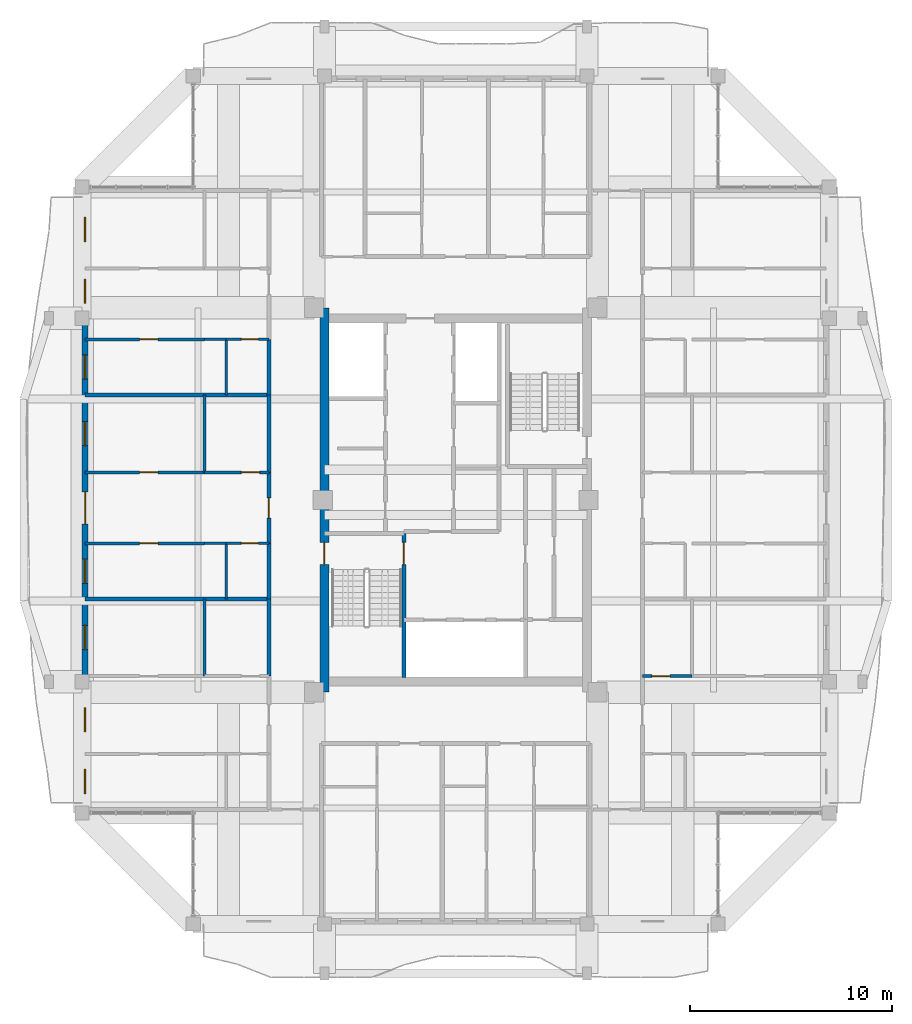
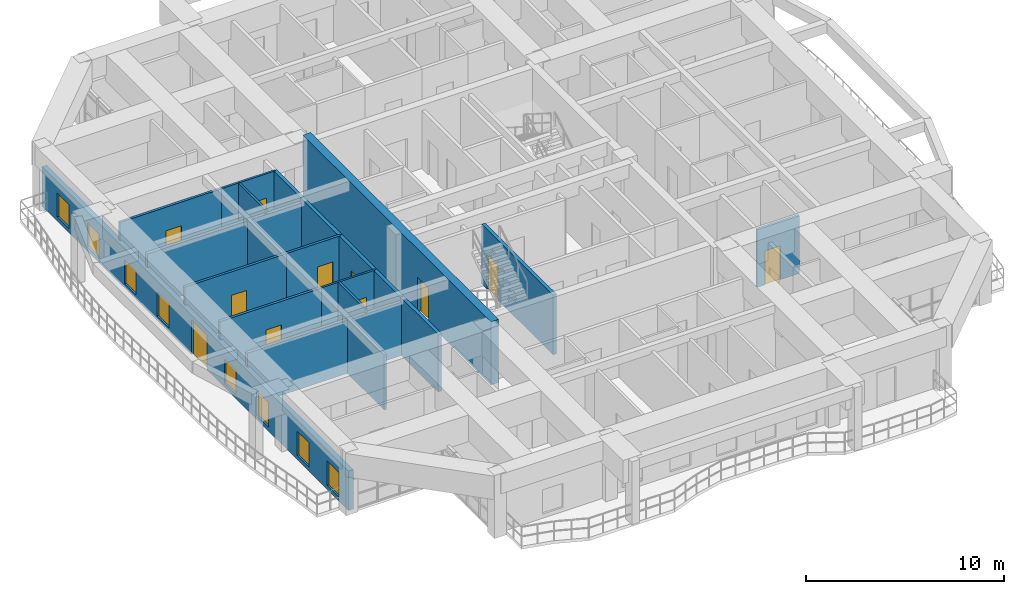
# One storey, part 12 of 22: 23 walls, 11 doors, 8 windows, 19 openings.
"""IFC4 building model written with IfcOpenShell, lengths in metres."""

from ifc_helpers import new_model, si_unit, direction, frame, frame_2d, origin, place, context, subcontext, project, spatial, rectangle, extrude, source, transform, mapped, material, layer, layer_set, type_object, element, fill, save


model = new_model("IFC4")

# Units and contexts
model_context = context("Model", 3, precision=1e-05, world=origin(), true_north=direction((0.0, 1.0)))
body_context = subcontext(model_context, "Body", "Model", "MODEL_VIEW")
ifc_project = project(units=[si_unit("LENGTHUNIT", "METRE"), si_unit("AREAUNIT", "SQUARE_METRE"), si_unit("VOLUMEUNIT", "CUBIC_METRE"), si_unit("PLANEANGLEUNIT", "RADIAN"), si_unit("MASSUNIT", "GRAM", prefix="KILO")], contexts=[model_context])

# Site, building, storey
site_placement = place(None, origin())
site = spatial("IfcSite", under=ifc_project, at=site_placement, CompositionType="ELEMENT")
building_placement = place(site_placement, origin())
building = spatial("IfcBuilding", under=site, at=building_placement, Name="Saelheon Loggia Tower", CompositionType="ELEMENT")
storey_placement = place(building_placement, frame((0.0, 0.0, 216.300048828125)))
storey = spatial("IfcBuildingStorey", under=building, at=storey_placement, Name="L67", CompositionType="ELEMENT", Elevation=216.300048828125)

# Wall, opening, door
ifc_material_1 = material(Name="Concrete C45/55", Category="concrete")
ifc_layer_1 = layer(ifc_material_1, 0.449951171875)
ifc_layer_set_1 = layer_set([ifc_layer_1], Name="Concrete C45/55")
wall_type_1 = type_object("IfcWallType", Name="Wall_CoreShear_450", PredefinedType="SHEAR", material=ifc_layer_set_1)
wall_1_placement = place(storey_placement, frame((31.5, 17.47998046875, 0.0), z_axis=(0.0, 0.0, 1.0), x_axis=(0.0, 1.0, 0.0)))
wall_1 = element("IfcWall", 1, at=wall_1_placement, inside=storey, type_object=wall_type_1, Name="L67 Core Shear Wall West", PredefinedType="SHEAR", context=body_context, shape_type="SweptSolid", body=[
    extrude(rectangle(XDim=19.0400390625, YDim=0.449951171875, at=frame_2d((9.52001953125, 0.0))), origin(), (0.0, 0.0, 1.0), 3.89990234375),
])
opening_1_placement = place(wall_1_placement, frame((6.320068359375, 0.0, 0.0)))
opening_1 = element("IfcOpeningElement", 2, at=opening_1_placement, cuts=wall_1, Name="Opening D-FD2", PredefinedType="OPENING", context=body_context, shape_type="SweptSolid", body=[
    extrude(rectangle(XDim=1.10009765625, YDim=2.14990234375, at=frame_2d((0.550048828125, 1.074951171875))), frame((0.0, 0.237060546875, 0.0), z_axis=(0.0, -1.0, 0.0), x_axis=(1.0, 0.0, 0.0)), (0.0, 0.0, 1.0), 0.473876953125),
])
ifc_material_2 = material(Name="Galvanised Steel Fire Door", Category="steel")
door_type_1 = type_object("IfcDoorType", Name="Door_Fire_FD60_1100", OperationType="NOTDEFINED", PredefinedType="DOOR", material=ifc_material_2)
shared_shape_1 = source(origin(), body_context, "Body", "SweptSolid", [
    extrude(rectangle(XDim=1.10009765625, YDim=2.14990234375, at=frame_2d((0.550048828125, 1.074951171875))), frame((0.0, 0.02490234375, 0.0), z_axis=(0.0, -1.0, 0.0), x_axis=(1.0, 0.0, 0.0)), (0.0, 0.0, 1.0), 0.050048828125),
])
door_1_placement = place(opening_1_placement, origin())
door_1 = element("IfcDoor", 3, at=door_1_placement, inside=storey, type_object=door_type_1, Name="L67 Stair ST1 Corridor Door", OperationType="SINGLE_SWING_LEFT", OverallHeight=2.14990234375, OverallWidth=1.10009765625, PredefinedType="DOOR", context=body_context, shape_type="MappedRepresentation", body=[
    mapped(shared_shape_1, transform((0.0, 0.0, 0.0), scale=1.0)),
])
fill(opening_1, door_1)

# Wall, openings, windows, door
ifc_material_3 = material(Name="Architectural Precast Concrete C40/50", Category="concrete")
ifc_layer_2 = layer(ifc_material_3, 0.280029296875)
ifc_layer_set_2 = layer_set([ifc_layer_2], Name="Architectural Precast Concrete C40/50")
wall_type_2 = type_object("IfcWallType", Name="Wall_Ext_Loggia_280", PredefinedType="SOLIDWALL", material=ifc_layer_set_2)
wall_2_placement = place(storey_placement, frame((19.639892578125, 11.5, 0.0), z_axis=(0.0, 0.0, 1.0), x_axis=(0.0, 1.0, 0.0)))
wall_2 = element("IfcWall", 4, at=wall_2_placement, inside=storey, type_object=wall_type_2, Name="L67 West Loggia Inner Wall", PredefinedType="SOLIDWALL", context=body_context, shape_type="SweptSolid", body=[
    extrude(rectangle(XDim=31.0, YDim=0.280029296875, at=frame_2d((15.5, 0.0))), origin(), (0.0, 0.0, 1.0), 2.43994140625),
])
opening_2_placement = place(wall_2_placement, frame((0.9599609375, 0.0, 0.25)))
opening_2 = element("IfcOpeningElement", 5, at=opening_2_placement, cuts=wall_2, Name="Opening WN-03", PredefinedType="OPENING", context=body_context, shape_type="SweptSolid", body=[
    extrude(rectangle(XDim=1.199951171875, YDim=1.5, at=frame_2d((0.60009765625, 0.75))), frame((0.0, 0.152099609375, 0.0), z_axis=(0.0, -1.0, 0.0), x_axis=(1.0, 0.0, 0.0)), (0.0, 0.0, 1.0), 0.303955078125),
])
opening_3_placement = place(wall_2_placement, frame((4.02001953125, 0.0, 0.25)))
opening_3 = element("IfcOpeningElement", 6, at=opening_3_placement, cuts=wall_2, Name="Opening WN-03", PredefinedType="OPENING", context=body_context, shape_type="SweptSolid", body=[
    extrude(rectangle(XDim=1.199951171875, YDim=1.5, at=frame_2d((0.60009765625, 0.75))), frame((0.0, 0.152099609375, 0.0), z_axis=(0.0, -1.0, 0.0), x_axis=(1.0, 0.0, 0.0)), (0.0, 0.0, 1.0), 0.303955078125),
])
opening_4_placement = place(wall_2_placement, frame((8.0888671875, 0.0, 0.25)))
opening_4 = element("IfcOpeningElement", 7, at=opening_4_placement, cuts=wall_2, Name="Opening WN-03", PredefinedType="OPENING", context=body_context, shape_type="SweptSolid", body=[
    extrude(rectangle(XDim=1.199951171875, YDim=1.5, at=frame_2d((0.60009765625, 0.75))), frame((0.0, 0.152099609375, 0.0), z_axis=(0.0, -1.0, 0.0), x_axis=(1.0, 0.0, 0.0)), (0.0, 0.0, 1.0), 0.303955078125),
])
opening_5_placement = place(wall_2_placement, frame((11.37255859375, 0.0, 0.25)))
opening_5 = element("IfcOpeningElement", 8, at=opening_5_placement, cuts=wall_2, Name="Opening WN-03", PredefinedType="OPENING", context=body_context, shape_type="SweptSolid", body=[
    extrude(rectangle(XDim=1.199951171875, YDim=1.5, at=frame_2d((0.60009765625, 0.75))), frame((0.0, 0.152099609375, 0.0), z_axis=(0.0, -1.0, 0.0), x_axis=(1.0, 0.0, 0.0)), (0.0, 0.0, 1.0), 0.303955078125),
])
opening_6_placement = place(wall_2_placement, frame((14.306884765625, 0.0, 0.0)))
opening_6 = element("IfcOpeningElement", 9, at=opening_6_placement, cuts=wall_2, Name="Opening DLG-1", PredefinedType="OPENING", context=body_context, shape_type="SweptSolid", body=[
    extrude(rectangle(XDim=1.60009765625, YDim=2.14990234375, at=frame_2d((0.800048828125, 1.074951171875))), frame((0.0, 0.152099609375, 0.0), z_axis=(0.0, -1.0, 0.0), x_axis=(1.0, 0.0, 0.0)), (0.0, 0.0, 1.0), 0.303955078125),
])
opening_7_placement = place(wall_2_placement, frame((18.1875, 0.0, 0.25)))
opening_7 = element("IfcOpeningElement", 10, at=opening_7_placement, cuts=wall_2, Name="Opening WN-03", PredefinedType="OPENING", context=body_context, shape_type="SweptSolid", body=[
    extrude(rectangle(XDim=1.199951171875, YDim=1.5, at=frame_2d((0.60009765625, 0.75))), frame((0.0, 0.152099609375, 0.0), z_axis=(0.0, -1.0, 0.0), x_axis=(1.0, 0.0, 0.0)), (0.0, 0.0, 1.0), 0.303955078125),
])
opening_8_placement = place(wall_2_placement, frame((21.48388671875, 0.0, 0.25)))
opening_8 = element("IfcOpeningElement", 11, at=opening_8_placement, cuts=wall_2, Name="Opening WN-03", PredefinedType="OPENING", context=body_context, shape_type="SweptSolid", body=[
    extrude(rectangle(XDim=1.199951171875, YDim=1.5, at=frame_2d((0.60009765625, 0.75))), frame((0.0, 0.152099609375, 0.0), z_axis=(0.0, -1.0, 0.0), x_axis=(1.0, 0.0, 0.0)), (0.0, 0.0, 1.0), 0.303955078125),
])
opening_9_placement = place(wall_2_placement, frame((25.23388671875, 0.0, 0.25)))
opening_9 = element("IfcOpeningElement", 12, at=opening_9_placement, cuts=wall_2, Name="Opening WN-03", PredefinedType="OPENING", context=body_context, shape_type="SweptSolid", body=[
    extrude(rectangle(XDim=1.199951171875, YDim=1.5, at=frame_2d((0.60009765625, 0.75))), frame((0.0, 0.152099609375, 0.0), z_axis=(0.0, -1.0, 0.0), x_axis=(1.0, 0.0, 0.0)), (0.0, 0.0, 1.0), 0.303955078125),
])
opening_10_placement = place(wall_2_placement, frame((28.293701171875, 0.0, 0.25)))
opening_10 = element("IfcOpeningElement", 13, at=opening_10_placement, cuts=wall_2, Name="Opening WN-03", PredefinedType="OPENING", context=body_context, shape_type="SweptSolid", body=[
    extrude(rectangle(XDim=1.199951171875, YDim=1.5, at=frame_2d((0.60009765625, 0.75))), frame((0.0, 0.152099609375, 0.0), z_axis=(0.0, -1.0, 0.0), x_axis=(1.0, 0.0, 0.0)), (0.0, 0.0, 1.0), 0.303955078125),
])
ifc_material_4 = material(Name="Thermal-Break Aluminium and Triple Low-E Glass", Category="aluminium")
window_type = type_object("IfcWindowType", Name="Win_Bedroom_1200x1500", PartitioningType="SINGLE_PANEL", PredefinedType="WINDOW", material=ifc_material_4)
shared_shape_2 = source(origin(), body_context, "Body", "SweptSolid", [
    extrude(rectangle(XDim=1.199951171875, YDim=1.5, at=frame_2d((0.60009765625, 0.75))), frame((0.0, 0.030029296875, 0.0), z_axis=(0.0, -1.0, 0.0), x_axis=(1.0, 0.0, 0.0)), (0.0, 0.0, 1.0), 0.06005859375),
])
window_1_placement = place(opening_2_placement, origin())
window_1 = element("IfcWindow", 14, at=window_1_placement, inside=storey, type_object=window_type, Name="L67 W Dwelling Window 1", OverallHeight=1.5, OverallWidth=1.199951171875, PartitioningType="SINGLE_PANEL", PredefinedType="WINDOW", context=body_context, shape_type="MappedRepresentation", body=[
    mapped(shared_shape_2, transform((0.0, 0.0, 0.0), scale=1.0)),
])
fill(opening_2, window_1)
window_2_placement = place(opening_3_placement, origin())
window_2 = element("IfcWindow", 15, at=window_2_placement, inside=storey, type_object=window_type, Name="L67 W Dwelling Window 2", OverallHeight=1.5, OverallWidth=1.199951171875, PartitioningType="SINGLE_PANEL", PredefinedType="WINDOW", context=body_context, shape_type="MappedRepresentation", body=[
    mapped(shared_shape_2, transform((0.0, 0.0, 0.0), scale=1.0)),
])
fill(opening_3, window_2)
window_3_placement = place(opening_4_placement, origin())
window_3 = element("IfcWindow", 16, at=window_3_placement, inside=storey, type_object=window_type, Name="L67 W Dwelling Window 3", OverallHeight=1.5, OverallWidth=1.199951171875, PartitioningType="SINGLE_PANEL", PredefinedType="WINDOW", context=body_context, shape_type="MappedRepresentation", body=[
    mapped(shared_shape_2, transform((0.0, 0.0, 0.0), scale=1.0)),
])
fill(opening_4, window_3)
window_4_placement = place(opening_5_placement, origin())
window_4 = element("IfcWindow", 17, at=window_4_placement, inside=storey, type_object=window_type, Name="L67 W Dwelling Window 4", OverallHeight=1.5, OverallWidth=1.199951171875, PartitioningType="SINGLE_PANEL", PredefinedType="WINDOW", context=body_context, shape_type="MappedRepresentation", body=[
    mapped(shared_shape_2, transform((0.0, 0.0, 0.0), scale=1.0)),
])
fill(opening_5, window_4)
window_5_placement = place(opening_7_placement, origin())
window_5 = element("IfcWindow", 18, at=window_5_placement, inside=storey, type_object=window_type, Name="L67 W Dwelling Window 6", OverallHeight=1.5, OverallWidth=1.199951171875, PartitioningType="SINGLE_PANEL", PredefinedType="WINDOW", context=body_context, shape_type="MappedRepresentation", body=[
    mapped(shared_shape_2, transform((0.0, 0.0, 0.0), scale=1.0)),
])
fill(opening_7, window_5)
window_6_placement = place(opening_8_placement, origin())
window_6 = element("IfcWindow", 19, at=window_6_placement, inside=storey, type_object=window_type, Name="L67 W Dwelling Window 7", OverallHeight=1.5, OverallWidth=1.199951171875, PartitioningType="SINGLE_PANEL", PredefinedType="WINDOW", context=body_context, shape_type="MappedRepresentation", body=[
    mapped(shared_shape_2, transform((0.0, 0.0, 0.0), scale=1.0)),
])
fill(opening_8, window_6)
window_7_placement = place(opening_9_placement, origin())
window_7 = element("IfcWindow", 20, at=window_7_placement, inside=storey, type_object=window_type, Name="L67 W Dwelling Window 8", OverallHeight=1.5, OverallWidth=1.199951171875, PartitioningType="SINGLE_PANEL", PredefinedType="WINDOW", context=body_context, shape_type="MappedRepresentation", body=[
    mapped(shared_shape_2, transform((0.0, 0.0, 0.0), scale=1.0)),
])
fill(opening_9, window_7)
window_8_placement = place(opening_10_placement, origin())
window_8 = element("IfcWindow", 21, at=window_8_placement, inside=storey, type_object=window_type, Name="L67 W Dwelling Window 9", OverallHeight=1.5, OverallWidth=1.199951171875, PartitioningType="SINGLE_PANEL", PredefinedType="WINDOW", context=body_context, shape_type="MappedRepresentation", body=[
    mapped(shared_shape_2, transform((0.0, 0.0, 0.0), scale=1.0)),
])
fill(opening_10, window_8)
ifc_material_5 = material(Name="Thermal-Break Aluminium Sliding Glazed Door", Category="aluminium")
door_type_2 = type_object("IfcDoorType", Name="Door_LoggiaSlide_1600", OperationType="SLIDING_TO_LEFT", PredefinedType="DOOR", material=ifc_material_5)
shared_shape_3 = source(origin(), body_context, "Body", "SweptSolid", [
    extrude(rectangle(XDim=1.60009765625, YDim=2.14990234375, at=frame_2d((0.800048828125, 1.074951171875))), frame((0.0, 0.02490234375, 0.0), z_axis=(0.0, -1.0, 0.0), x_axis=(1.0, 0.0, 0.0)), (0.0, 0.0, 1.0), 0.050048828125),
])
door_2_placement = place(opening_6_placement, origin())
door_2 = element("IfcDoor", 22, at=door_2_placement, inside=storey, type_object=door_type_2, Name="L67 W Loggia Access Door", OperationType="SLIDING_TO_LEFT", OverallHeight=2.14990234375, OverallWidth=1.60009765625, PredefinedType="DOOR", context=body_context, shape_type="MappedRepresentation", body=[
    mapped(shared_shape_3, transform((0.0, 0.0, 0.0), scale=1.0)),
])
fill(opening_6, door_2)

# Walls
ifc_material_6 = material(Name="Lightweight Autoclaved Aerated Concrete Block and Acoustic Gypsum", Category="concrete")
ifc_layer_3 = layer(ifc_material_6, 0.14990234375)
ifc_layer_set_3 = layer_set([ifc_layer_3], Name="Lightweight Autoclaved Aerated Concrete Block and Acoustic Gypsum")
wall_type_3 = type_object("IfcWallType", Name="Wall_Part_150", PredefinedType="PARTITIONING", material=ifc_layer_set_3)
wall_3_placement = place(storey_placement, frame((25.570068359375, 18.280029296875, 0.0), z_axis=(0.0, 0.0, 1.0), x_axis=(0.0, 1.0, 0.0)))
element("IfcWall", 23, at=wall_3_placement, inside=storey, type_object=wall_type_3, Name="L67 W Partition V07", PredefinedType="PARTITIONING", context=body_context, shape_type="SweptSolid", body=[
    extrude(rectangle(XDim=3.817626953125, YDim=0.14990234375, at=frame_2d((1.90869140625, 0.0))), origin(), (0.0, 0.0, 1.0), 3.389892578125),
])
wall_4_placement = place(storey_placement, frame((25.570068359375, 28.366455078125, 0.0), z_axis=(0.0, 0.0, 1.0), x_axis=(0.0, 1.0, 0.0)))
element("IfcWall", 24, at=wall_4_placement, inside=storey, type_object=wall_type_3, Name="L67 W Partition V18", PredefinedType="PARTITIONING", context=body_context, shape_type="SweptSolid", body=[
    extrude(rectangle(XDim=3.84228515625, YDim=0.14990234375, at=frame_2d((1.921142578125, 0.0))), origin(), (0.0, 0.0, 1.0), 3.389892578125),
])

# Wall, opening, door
wall_5_placement = place(storey_placement, frame((25.570068359375, 24.84765625, 0.0), z_axis=(0.0, 0.0, 1.0), x_axis=(-1.0, 0.0, 0.0)))
wall_5 = element("IfcWall", 25, at=wall_5_placement, inside=storey, type_object=wall_type_3, Name="L67 W Partition U21", PredefinedType="PARTITIONING", context=body_context, shape_type="SweptSolid", body=[
    extrude(rectangle(XDim=5.920166015625, YDim=0.14990234375, at=frame_2d((2.9599609375, 0.0))), origin(), (0.0, 0.0, 1.0), 3.56005859375),
])
opening_11_placement = place(wall_5_placement, frame((2.32080078125, 0.0, 0.0)))
opening_11 = element("IfcOpeningElement", 26, at=opening_11_placement, cuts=wall_5, Name="Opening D-IN2", PredefinedType="OPENING", context=body_context, shape_type="SweptSolid", body=[
    extrude(rectangle(XDim=0.89990234375, YDim=2.10009765625, at=frame_2d((0.449951171875, 1.050048828125))), frame((0.0, 0.0869140625, 0.0), z_axis=(0.0, -1.0, 0.0), x_axis=(1.0, 0.0, 0.0)), (0.0, 0.0, 1.0), 0.173828125),
])
ifc_material_7 = material(Name="Engineered Oak Flush Door", Category="timber")
door_type_3 = type_object("IfcDoorType", Name="Door_Int_900", OperationType="NOTDEFINED", PredefinedType="DOOR", material=ifc_material_7)
shared_shape_4 = source(origin(), body_context, "Body", "SweptSolid", [
    extrude(rectangle(XDim=0.89990234375, YDim=2.10009765625, at=frame_2d((0.449951171875, 1.050048828125))), frame((0.0, 0.02490234375, 0.0), z_axis=(0.0, -1.0, 0.0), x_axis=(1.0, 0.0, 0.0)), (0.0, 0.0, 1.0), 0.050048828125),
])
door_3_placement = place(opening_11_placement, origin())
door_3 = element("IfcDoor", 27, at=door_3_placement, inside=storey, type_object=door_type_3, Name="Unit U06 Kitchen Door", OperationType="SINGLE_SWING_RIGHT", OverallHeight=2.10009765625, OverallWidth=0.89990234375, PredefinedType="DOOR", context=body_context, shape_type="MappedRepresentation", body=[
    mapped(shared_shape_4, transform((0.0, 0.0, 0.0), scale=1.0)),
])
fill(opening_11, door_3)

wall_6_placement = place(storey_placement, frame((28.75, 28.366455078125, 0.0), z_axis=(0.0, 0.0, 1.0), x_axis=(-1.0, 0.0, 0.0)))
wall_6 = element("IfcWall", 28, at=wall_6_placement, inside=storey, type_object=wall_type_3, Name="L67 W Partition U22", PredefinedType="PARTITIONING", context=body_context, shape_type="SweptSolid", body=[
    extrude(rectangle(XDim=3.179931640625, YDim=0.14990234375, at=frame_2d((1.58984375, 0.0))), origin(), (0.0, 0.0, 1.0), 3.56005859375),
])
opening_12_placement = place(wall_6_placement, frame((0.465087890625, 0.0, 0.0)))
opening_12 = element("IfcOpeningElement", 29, at=opening_12_placement, cuts=wall_6, Name="Opening D-IN2", PredefinedType="OPENING", context=body_context, shape_type="SweptSolid", body=[
    extrude(rectangle(XDim=0.89990234375, YDim=2.10009765625, at=frame_2d((0.449951171875, 1.050048828125))), frame((0.0, 0.0869140625, 0.0), z_axis=(0.0, -1.0, 0.0), x_axis=(1.0, 0.0, 0.0)), (0.0, 0.0, 1.0), 0.173828125),
])
door_4_placement = place(opening_12_placement, origin())
door_4 = element("IfcDoor", 30, at=door_4_placement, inside=storey, type_object=door_type_3, Name="Unit U06 Dressing Closet Door", OperationType="SINGLE_SWING_LEFT", OverallHeight=2.10009765625, OverallWidth=0.89990234375, PredefinedType="DOOR", context=body_context, shape_type="MappedRepresentation", body=[
    mapped(shared_shape_4, transform((0.0, 0.0, 0.0), scale=1.0)),
])
fill(opening_12, door_4)

wall_7_placement = place(storey_placement, frame((25.570068359375, 28.366455078125, 0.0), z_axis=(0.0, 0.0, 1.0), x_axis=(-1.0, 0.0, 0.0)))
wall_7 = element("IfcWall", 31, at=wall_7_placement, inside=storey, type_object=wall_type_3, Name="L67 W Partition U23", PredefinedType="PARTITIONING", context=body_context, shape_type="SweptSolid", body=[
    extrude(rectangle(XDim=5.920166015625, YDim=0.14990234375, at=frame_2d((2.9599609375, 0.0))), origin(), (0.0, 0.0, 1.0), 3.56005859375),
])
opening_13_placement = place(wall_7_placement, frame((2.32080078125, 0.0, 0.0)))
opening_13 = element("IfcOpeningElement", 32, at=opening_13_placement, cuts=wall_7, Name="Opening D-IN2", PredefinedType="OPENING", context=body_context, shape_type="SweptSolid", body=[
    extrude(rectangle(XDim=0.89990234375, YDim=2.10009765625, at=frame_2d((0.449951171875, 1.050048828125))), frame((0.0, 0.0869140625, 0.0), z_axis=(0.0, -1.0, 0.0), x_axis=(1.0, 0.0, 0.0)), (0.0, 0.0, 1.0), 0.173828125),
])
door_5_placement = place(opening_13_placement, origin())
door_5 = element("IfcDoor", 33, at=door_5_placement, inside=storey, type_object=door_type_3, Name="Unit U06 Bedroom 1 Door", OperationType="SINGLE_SWING_RIGHT", OverallHeight=2.10009765625, OverallWidth=0.89990234375, PredefinedType="DOOR", context=body_context, shape_type="MappedRepresentation", body=[
    mapped(shared_shape_4, transform((0.0, 0.0, 0.0), scale=1.0)),
])
fill(opening_13, door_5)

wall_8_placement = place(storey_placement, frame((25.570068359375, 34.958740234375, 0.0), z_axis=(0.0, 0.0, 1.0), x_axis=(-1.0, 0.0, 0.0)))
wall_8 = element("IfcWall", 34, at=wall_8_placement, inside=storey, type_object=wall_type_3, Name="L67 W Partition U32", PredefinedType="PARTITIONING", context=body_context, shape_type="SweptSolid", body=[
    extrude(rectangle(XDim=5.920166015625, YDim=0.14990234375, at=frame_2d((2.9599609375, 0.0))), origin(), (0.0, 0.0, 1.0), 3.56005859375),
])
opening_14_placement = place(wall_8_placement, frame((2.32080078125, 0.0, 0.0)))
opening_14 = element("IfcOpeningElement", 35, at=opening_14_placement, cuts=wall_8, Name="Opening D-IN2", PredefinedType="OPENING", context=body_context, shape_type="SweptSolid", body=[
    extrude(rectangle(XDim=0.89990234375, YDim=2.10009765625, at=frame_2d((0.449951171875, 1.050048828125))), frame((0.0, 0.0869140625, 0.0), z_axis=(0.0, -1.0, 0.0), x_axis=(1.0, 0.0, 0.0)), (0.0, 0.0, 1.0), 0.173828125),
])
door_6_placement = place(opening_14_placement, origin())
door_6 = element("IfcDoor", 36, at=door_6_placement, inside=storey, type_object=door_type_3, Name="Unit U07 Kitchen Door", OperationType="SINGLE_SWING_LEFT", OverallHeight=2.10009765625, OverallWidth=0.89990234375, PredefinedType="DOOR", context=body_context, shape_type="MappedRepresentation", body=[
    mapped(shared_shape_4, transform((0.0, 0.0, 0.0), scale=1.0)),
])
fill(opening_14, door_6)

wall_9_placement = place(storey_placement, frame((47.25, 18.280029296875, 0.0), z_axis=(0.0, 0.0, 1.0), x_axis=(1.0, 0.0, 0.0)))
wall_9 = element("IfcWall", 37, at=wall_9_placement, inside=storey, type_object=wall_type_3, Name="L67 E Partition U10", PredefinedType="PARTITIONING", context=body_context, shape_type="SweptSolid", body=[
    extrude(rectangle(XDim=2.4599609375, YDim=0.14990234375, at=frame_2d((1.22998046875, 0.0))), origin(), (0.0, 0.0, 1.0), 3.56005859375),
])
opening_15_placement = place(wall_9_placement, frame((0.465087890625, 0.0, 0.0)))
opening_15 = element("IfcOpeningElement", 38, at=opening_15_placement, cuts=wall_9, Name="Opening D-IN2", PredefinedType="OPENING", context=body_context, shape_type="SweptSolid", body=[
    extrude(rectangle(XDim=0.89990234375, YDim=2.10009765625, at=frame_2d((0.449951171875, 1.050048828125))), frame((0.0, 0.0869140625, 0.0), z_axis=(0.0, -1.0, 0.0), x_axis=(1.0, 0.0, 0.0)), (0.0, 0.0, 1.0), 0.173828125),
])
door_7_placement = place(opening_15_placement, origin())
door_7 = element("IfcDoor", 39, at=door_7_placement, inside=storey, type_object=door_type_3, Name="Unit U08 Dressing Closet Door", OperationType="SINGLE_SWING_LEFT", OverallHeight=2.10009765625, OverallWidth=0.89990234375, PredefinedType="DOOR", context=body_context, shape_type="MappedRepresentation", body=[
    mapped(shared_shape_4, transform((0.0, 0.0, 0.0), scale=1.0)),
])
fill(opening_15, door_7)

# Walls
ifc_material_8 = material(Name="Double Acoustic Stud and Fireboard Partition", Category="gypsum")
ifc_layer_4 = layer(ifc_material_8, 0.199951171875)
ifc_layer_set_4 = layer_set([ifc_layer_4], Name="Double Acoustic Stud and Fireboard Partition")
wall_type_4 = type_object("IfcWallType", Name="Wall_Party_200", PredefinedType="PARTITIONING", material=ifc_layer_set_4)
wall_10_placement = place(storey_placement, frame((28.75, 18.280029296875, 0.0), z_axis=(0.0, 0.0, 1.0), x_axis=(0.0, 1.0, 0.0)))
element("IfcWall", 40, at=wall_10_placement, inside=storey, type_object=wall_type_4, Name="L67 W Partition V05", PredefinedType="PARTITIONING", context=body_context, shape_type="SweptSolid", body=[
    extrude(rectangle(XDim=3.817626953125, YDim=0.199951171875, at=frame_2d((1.90869140625, 0.0))), origin(), (0.0, 0.0, 1.0), 3.56005859375),
])
wall_11_placement = place(storey_placement, frame((28.75, 22.09765625, 0.0), z_axis=(0.0, 0.0, 1.0), x_axis=(-1.0, 0.0, 0.0)))
element("IfcWall", 41, at=wall_11_placement, inside=storey, type_object=wall_type_4, Name="L67 W Partition U13", PredefinedType="PARTITIONING", context=body_context, shape_type="SweptSolid", body=[
    extrude(rectangle(XDim=9.10009765625, YDim=0.199951171875, at=frame_2d((4.550048828125, 0.0))), origin(), (0.0, 0.0, 1.0), 3.2900390625),
])
wall_12_placement = place(storey_placement, frame((28.75, 22.09765625, 0.0), z_axis=(0.0, 0.0, 1.0), x_axis=(0.0, 1.0, 0.0)))
element("IfcWall", 42, at=wall_12_placement, inside=storey, type_object=wall_type_4, Name="L67 W Partition V14", PredefinedType="PARTITIONING", context=body_context, shape_type="SweptSolid", body=[
    extrude(rectangle(XDim=2.75, YDim=0.199951171875, at=frame_2d((1.375, 0.0))), origin(), (0.0, 0.0, 1.0), 3.56005859375),
])

# Wall, opening, door
wall_13_placement = place(storey_placement, frame((28.75, 24.84765625, 0.0), z_axis=(0.0, 0.0, 1.0), x_axis=(0.0, 1.0, 0.0)))
wall_13 = element("IfcWall", 43, at=wall_13_placement, inside=storey, type_object=wall_type_4, Name="L67 W Partition V15", PredefinedType="PARTITIONING", context=body_context, shape_type="SweptSolid", body=[
    extrude(rectangle(XDim=3.518798828125, YDim=0.199951171875, at=frame_2d((1.75927734375, 0.0))), origin(), (0.0, 0.0, 1.0), 3.56005859375),
])
opening_16_placement = place(wall_13_placement, frame((1.259521484375, 0.0, 0.0)))
opening_16 = element("IfcOpeningElement", 44, at=opening_16_placement, cuts=wall_13, Name="Opening D-FD1", PredefinedType="OPENING", context=body_context, shape_type="SweptSolid", body=[
    extrude(rectangle(XDim=1.0, YDim=2.14990234375, at=frame_2d((0.5, 1.074951171875))), frame((0.0, 0.112060546875, 0.0), z_axis=(0.0, -1.0, 0.0), x_axis=(1.0, 0.0, 0.0)), (0.0, 0.0, 1.0), 0.223876953125),
])
ifc_material_9 = material(Name="Fire-Rated Engineered Timber Entrance Door", Category="wood")
door_type_4 = type_object("IfcDoorType", Name="Door_Flat_FD30S", OperationType="NOTDEFINED", PredefinedType="DOOR", material=ifc_material_9)
shared_shape_5 = source(origin(), body_context, "Body", "SweptSolid", [
    extrude(rectangle(XDim=1.0, YDim=2.14990234375, at=frame_2d((0.5, 1.074951171875))), frame((0.0, 0.02490234375, 0.0), z_axis=(0.0, -1.0, 0.0), x_axis=(1.0, 0.0, 0.0)), (0.0, 0.0, 1.0), 0.050048828125),
])
door_8_placement = place(opening_16_placement, origin())
door_8 = element("IfcDoor", 45, at=door_8_placement, inside=storey, type_object=door_type_4, Name="Unit U06 Entrance Door", OperationType="SINGLE_SWING_RIGHT", OverallHeight=2.14990234375, OverallWidth=1.0, PredefinedType="DOOR", context=body_context, shape_type="MappedRepresentation", body=[
    mapped(shared_shape_5, transform((0.0, 0.0, 0.0), scale=1.0)),
])
fill(opening_16, door_8)

# Walls
wall_14_placement = place(storey_placement, frame((28.75, 28.366455078125, 0.0), z_axis=(0.0, 0.0, 1.0), x_axis=(0.0, 1.0, 0.0)))
element("IfcWall", 46, at=wall_14_placement, inside=storey, type_object=wall_type_4, Name="L67 W Partition V16", PredefinedType="PARTITIONING", context=body_context, shape_type="SweptSolid", body=[
    extrude(rectangle(XDim=3.84228515625, YDim=0.199951171875, at=frame_2d((1.921142578125, 0.0))), origin(), (0.0, 0.0, 1.0), 3.56005859375),
])
wall_15_placement = place(storey_placement, frame((28.75, 32.208740234375, 0.0), z_axis=(0.0, 0.0, 1.0), x_axis=(-1.0, 0.0, 0.0)))
element("IfcWall", 47, at=wall_15_placement, inside=storey, type_object=wall_type_4, Name="L67 W Partition U24", PredefinedType="PARTITIONING", context=body_context, shape_type="SweptSolid", body=[
    extrude(rectangle(XDim=9.10009765625, YDim=0.199951171875, at=frame_2d((4.550048828125, 0.0))), origin(), (0.0, 0.0, 1.0), 3.2900390625),
])
wall_16_placement = place(storey_placement, frame((28.75, 32.208740234375, 0.0), z_axis=(0.0, 0.0, 1.0), x_axis=(0.0, 1.0, 0.0)))
element("IfcWall", 48, at=wall_16_placement, inside=storey, type_object=wall_type_4, Name="L67 W Partition V25", PredefinedType="PARTITIONING", context=body_context, shape_type="SweptSolid", body=[
    extrude(rectangle(XDim=2.75, YDim=0.199951171875, at=frame_2d((1.375, 0.0))), origin(), (0.0, 0.0, 1.0), 3.56005859375),
])

# Wall, opening, door
ifc_layer_5 = layer(ifc_material_1, 0.199951171875)
ifc_layer_set_5 = layer_set([ifc_layer_5], Name="Concrete C45/55")
wall_type_5 = type_object("IfcWallType", Name="Wall_StairShaft_RC200", PredefinedType="SOLIDWALL", material=ifc_layer_set_5)
wall_17_placement = place(storey_placement, frame((35.429931640625, 18.219970703125, 0.0), z_axis=(0.0, 0.0, 1.0), x_axis=(0.0, 1.0, 0.0)))
wall_17 = element("IfcWall", 49, at=wall_17_placement, inside=storey, type_object=wall_type_5, Name="L67 Stair ST1 Shaft Wall", PredefinedType="SOLIDWALL", context=body_context, shape_type="SweptSolid", body=[
    extrude(rectangle(XDim=7.219970703125, YDim=0.199951171875, at=frame_2d((3.60986328125, 0.0))), origin(), (0.0, 0.0, 1.0), 3.68994140625),
])
opening_17_placement = place(wall_17_placement, frame((6.68017578125, 0.0, 0.0), z_axis=(0.0, 0.0, 1.0), x_axis=(-1.0, 0.0, 0.0)))
opening_17 = element("IfcOpeningElement", 50, at=opening_17_placement, cuts=wall_17, Name="Opening D-FD2", PredefinedType="OPENING", context=body_context, shape_type="SweptSolid", body=[
    extrude(rectangle(XDim=1.10009765625, YDim=2.14990234375, at=frame_2d((0.550048828125, 1.074951171875))), frame((0.0, 0.112060546875, 0.0), z_axis=(0.0, -1.0, 0.0), x_axis=(1.0, 0.0, 0.0)), (0.0, 0.0, 1.0), 0.223876953125),
])
door_9_placement = place(opening_17_placement, origin())
door_9 = element("IfcDoor", 51, at=door_9_placement, inside=storey, type_object=door_type_1, Name="L67 Stair ST1 Lobby Door", OperationType="SINGLE_SWING_RIGHT", OverallHeight=2.14990234375, OverallWidth=1.10009765625, PredefinedType="DOOR", context=body_context, shape_type="MappedRepresentation", body=[
    mapped(shared_shape_1, transform((0.0, 0.0, 0.0), scale=1.0)),
])
fill(opening_17, door_9)

# Wall
ifc_material_10 = material(Name="Moisture-Resistant Cement Board Partition", Category="gypsum")
ifc_layer_6 = layer(ifc_material_10, 0.1201171875)
ifc_layer_set_6 = layer_set([ifc_layer_6], Name="Moisture-Resistant Cement Board Partition")
wall_type_6 = type_object("IfcWallType", Name="Wall_WetPart_120", PredefinedType="PARTITIONING", material=ifc_layer_set_6)
wall_18_placement = place(storey_placement, frame((26.6298828125, 22.09765625, 0.0), z_axis=(0.0, 0.0, 1.0), x_axis=(0.0, 1.0, 0.0)))
element("IfcWall", 52, at=wall_18_placement, inside=storey, type_object=wall_type_6, Name="L67 W Partition V17", PredefinedType="PARTITIONING", context=body_context, shape_type="SweptSolid", body=[
    extrude(rectangle(XDim=2.75, YDim=0.1201171875, at=frame_2d((1.375, 0.0))), origin(), (0.0, 0.0, 1.0), 3.56005859375),
])

# Wall, opening, door
wall_19_placement = place(storey_placement, frame((28.75, 24.84765625, 0.0), z_axis=(0.0, 0.0, 1.0), x_axis=(-1.0, 0.0, 0.0)))
wall_19 = element("IfcWall", 53, at=wall_19_placement, inside=storey, type_object=wall_type_6, Name="L67 W Partition U19", PredefinedType="PARTITIONING", context=body_context, shape_type="SweptSolid", body=[
    extrude(rectangle(XDim=2.1201171875, YDim=0.1201171875, at=frame_2d((1.06005859375, 0.0))), origin(), (0.0, 0.0, 1.0), 3.56005859375),
])
opening_18_placement = place(wall_19_placement, frame((0.519775390625, 0.0, 0.0)))
opening_18 = element("IfcOpeningElement", 54, at=opening_18_placement, cuts=wall_19, Name="Opening D-BT1", PredefinedType="OPENING", context=body_context, shape_type="SweptSolid", body=[
    extrude(rectangle(XDim=0.85009765625, YDim=2.050048828125, at=frame_2d((0.425048828125, 1.02490234375))), frame((0.0, 0.072021484375, 0.0), z_axis=(0.0, -1.0, 0.0), x_axis=(1.0, 0.0, 0.0)), (0.0, 0.0, 1.0), 0.14404296875),
])
ifc_material_11 = material(Name="Moisture-Resistant Laminate Timber Door", Category="wood")
door_type_5 = type_object("IfcDoorType", Name="Door_Bath_850", OperationType="NOTDEFINED", PredefinedType="DOOR", material=ifc_material_11)
shared_shape_6 = source(origin(), body_context, "Body", "SweptSolid", [
    extrude(rectangle(XDim=0.85009765625, YDim=2.050048828125, at=frame_2d((0.425048828125, 1.02490234375))), frame((0.0, 0.02490234375, 0.0), z_axis=(0.0, -1.0, 0.0), x_axis=(1.0, 0.0, 0.0)), (0.0, 0.0, 1.0), 0.050048828125),
])
door_10_placement = place(opening_18_placement, origin())
door_10 = element("IfcDoor", 55, at=door_10_placement, inside=storey, type_object=door_type_5, Name="Unit U06 Bathroom Door", OperationType="SINGLE_SWING_LEFT", OverallHeight=2.050048828125, OverallWidth=0.85009765625, PredefinedType="DOOR", context=body_context, shape_type="MappedRepresentation", body=[
    mapped(shared_shape_6, transform((0.0, 0.0, 0.0), scale=1.0)),
])
fill(opening_18, door_10)

# Walls
wall_20_placement = place(storey_placement, frame((26.6298828125, 24.84765625, 0.0), z_axis=(0.0, 0.0, 1.0), x_axis=(-1.0, 0.0, 0.0)))
element("IfcWall", 56, at=wall_20_placement, inside=storey, type_object=wall_type_6, Name="L67 W Partition U20", PredefinedType="PARTITIONING", context=body_context, shape_type="SweptSolid", body=[
    extrude(rectangle(XDim=1.059814453125, YDim=0.1201171875, at=frame_2d((0.52978515625, 0.0))), origin(), (0.0, 0.0, 1.0), 3.56005859375),
])
wall_21_placement = place(storey_placement, frame((26.6298828125, 32.208740234375, 0.0), z_axis=(0.0, 0.0, 1.0), x_axis=(0.0, 1.0, 0.0)))
element("IfcWall", 57, at=wall_21_placement, inside=storey, type_object=wall_type_6, Name="L67 W Partition V28", PredefinedType="PARTITIONING", context=body_context, shape_type="SweptSolid", body=[
    extrude(rectangle(XDim=2.75, YDim=0.1201171875, at=frame_2d((1.375, 0.0))), origin(), (0.0, 0.0, 1.0), 3.56005859375),
])

# Wall, opening, door
wall_22_placement = place(storey_placement, frame((28.75, 34.958740234375, 0.0), z_axis=(0.0, 0.0, 1.0), x_axis=(-1.0, 0.0, 0.0)))
wall_22 = element("IfcWall", 58, at=wall_22_placement, inside=storey, type_object=wall_type_6, Name="L67 W Partition U30", PredefinedType="PARTITIONING", context=body_context, shape_type="SweptSolid", body=[
    extrude(rectangle(XDim=2.1201171875, YDim=0.1201171875, at=frame_2d((1.06005859375, 0.0))), origin(), (0.0, 0.0, 1.0), 3.56005859375),
])
opening_19_placement = place(wall_22_placement, frame((0.519775390625, 0.0, 0.0)))
opening_19 = element("IfcOpeningElement", 59, at=opening_19_placement, cuts=wall_22, Name="Opening D-BT1", PredefinedType="OPENING", context=body_context, shape_type="SweptSolid", body=[
    extrude(rectangle(XDim=0.85009765625, YDim=2.050048828125, at=frame_2d((0.425048828125, 1.02490234375))), frame((0.0, 0.072021484375, 0.0), z_axis=(0.0, -1.0, 0.0), x_axis=(1.0, 0.0, 0.0)), (0.0, 0.0, 1.0), 0.14404296875),
])
door_11_placement = place(opening_19_placement, origin())
door_11 = element("IfcDoor", 60, at=door_11_placement, inside=storey, type_object=door_type_5, Name="Unit U07 Bathroom Door", OperationType="SINGLE_SWING_RIGHT", OverallHeight=2.050048828125, OverallWidth=0.85009765625, PredefinedType="DOOR", context=body_context, shape_type="MappedRepresentation", body=[
    mapped(shared_shape_6, transform((0.0, 0.0, 0.0), scale=1.0)),
])
fill(opening_19, door_11)

# Wall
wall_23_placement = place(storey_placement, frame((26.6298828125, 34.958740234375, 0.0), z_axis=(0.0, 0.0, 1.0), x_axis=(-1.0, 0.0, 0.0)))
element("IfcWall", 61, at=wall_23_placement, inside=storey, type_object=wall_type_6, Name="L67 W Partition U31", PredefinedType="PARTITIONING", context=body_context, shape_type="SweptSolid", body=[
    extrude(rectangle(XDim=1.059814453125, YDim=0.1201171875, at=frame_2d((0.52978515625, 0.0))), origin(), (0.0, 0.0, 1.0), 3.56005859375),
])

save(model, "model.ifc")
